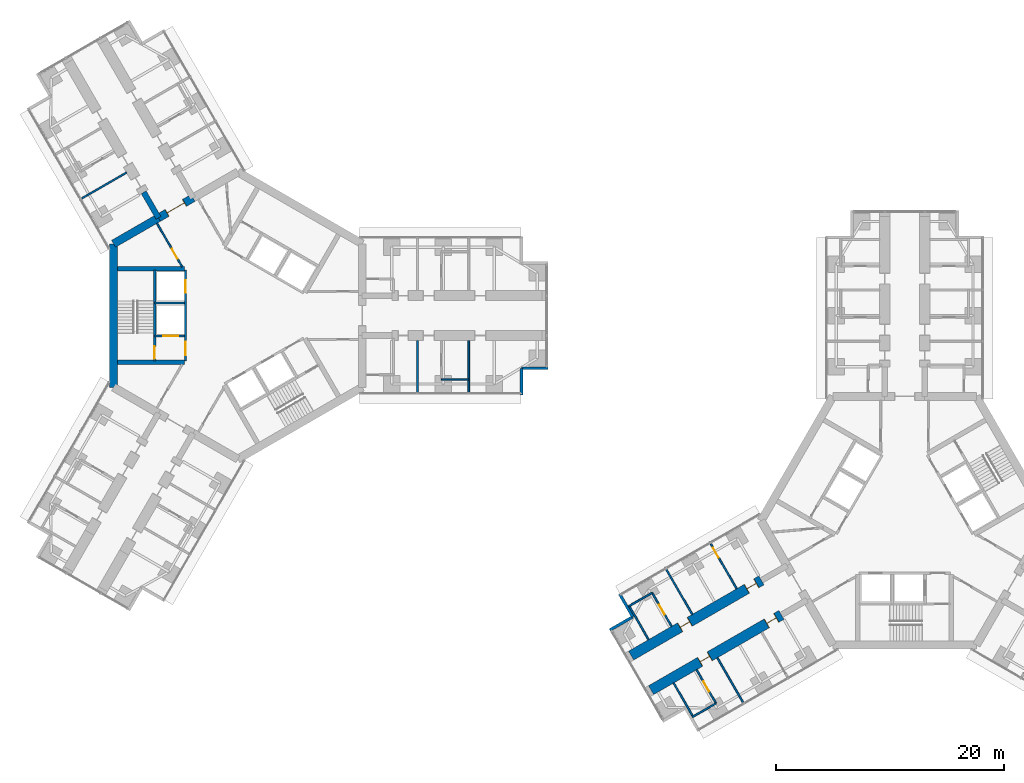
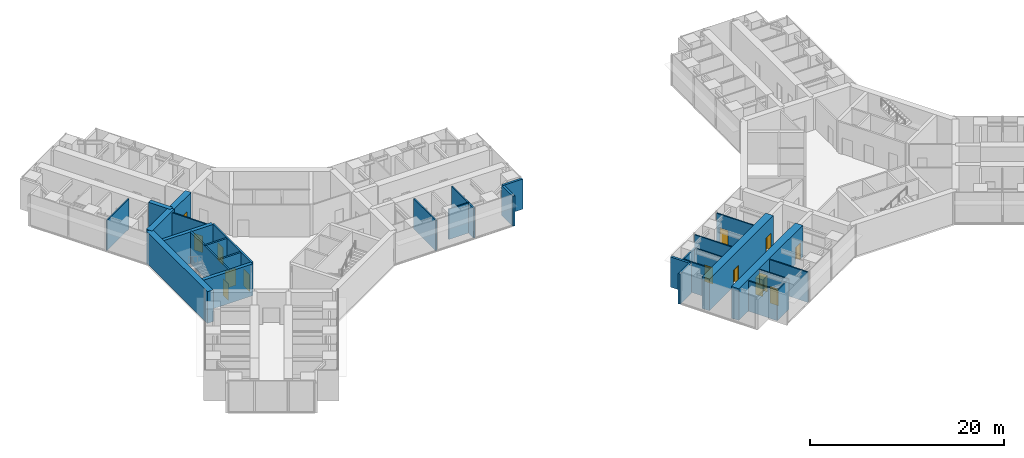
# One storey, part 17 of 24: 30 walls, 13 doors, 13 openings.
"""IFC4 building model written with IfcOpenShell, lengths in metres."""

from ifc_helpers import new_model, si_unit, direction, frame, frame_2d, origin, place, context, subcontext, project, spatial, rectangle, extrude, material, layer, layer_set, type_object, element, fill, save


model = new_model("IFC4")

# Units and contexts
model_context = context("Model", 3, precision=1e-05, world=origin(), true_north=direction((0.0, 1.0)))
body_context = subcontext(model_context, "Body", "Model", "MODEL_VIEW")
ifc_project = project(units=[si_unit("LENGTHUNIT", "METRE"), si_unit("AREAUNIT", "SQUARE_METRE"), si_unit("VOLUMEUNIT", "CUBIC_METRE"), si_unit("PLANEANGLEUNIT", "RADIAN"), si_unit("MASSUNIT", "GRAM", prefix="KILO")], contexts=[model_context])

# Site, building, storey
site_placement = place(None, origin())
site = spatial("IfcSite", under=ifc_project, at=site_placement, CompositionType="ELEMENT")
building_placement = place(site_placement, origin())
building = spatial("IfcBuilding", under=site, at=building_placement, Name="Upepo Twin Towers", CompositionType="ELEMENT")
storey_placement = place(building_placement, frame((0.0, 0.0, 64.5)))
storey = spatial("IfcBuildingStorey", under=building, at=storey_placement, Name="L15", CompositionType="ELEMENT", Elevation=64.5)

# Wall
ifc_material_1 = material(Name="Concrete C60/75", Category="concrete")
ifc_layer_1 = layer(ifc_material_1, 0.5)
ifc_layer_set_1 = layer_set([ifc_layer_1], Name="Concrete C60/75")
wall_type_1 = type_object("IfcWallType", Name="Buttress wall 500 RC", PredefinedType="SHEAR", material=ifc_layer_set_1)
wall_1_placement = place(storey_placement, frame((-6.9697265625, 8.57177734375, 0.0), z_axis=(0.0, 0.0, 1.0), x_axis=(-0.499988811324, 0.866031863473, 0.0)))
element("IfcWall", 1, at=wall_1_placement, inside=storey, type_object=wall_type_1, Name="T1 wing B buttress wall L", PredefinedType="SHEAR", context=body_context, shape_type="SweptSolid", body=[
    extrude(rectangle(XDim=2.591796875, YDim=0.5, at=frame_2d((1.2958984375, 0.0))), origin(), (0.0, 0.0, 1.0), 4.0),
])

# Wall, openings, doors
ifc_material_2 = material(Name="Concrete C60/75", Category="concrete")
ifc_layer_2 = layer(ifc_material_2, 0.89990234375)
ifc_layer_set_2 = layer_set([ifc_layer_2], Name="Concrete C60/75")
wall_type_2 = type_object("IfcWallType", Name="Buttress wall 900 RC", PredefinedType="SHEAR", material=ifc_layer_set_2)
wall_2_placement = place(storey_placement, frame((47.68359375, -26.265625, 0.0), z_axis=(0.0, 0.0, 1.0), x_axis=(-0.866027579429, -0.499996231654, 0.0)))
wall_2 = element("IfcWall", 2, at=wall_2_placement, inside=storey, type_object=wall_type_2, Name="T2 wing B buttress wall L part 2", PredefinedType="SHEAR", context=body_context, shape_type="SweptSolid", body=[
    extrude(rectangle(XDim=13.19970703125, YDim=0.89990234375, at=frame_2d((6.599853515625, 0.0))), origin(), (0.0, 0.0, 1.0), 4.0),
])
opening_1_placement = place(wall_2_placement, frame((0.5, 0.0, 0.0)))
opening_1 = element("IfcOpeningElement", 3, at=opening_1_placement, cuts=wall_2, Name="Opening D1", PredefinedType="OPENING", context=body_context, shape_type="SweptSolid", body=[
    extrude(rectangle(XDim=1.0, YDim=2.10009765625, at=frame_2d((0.5, 1.050048828125))), frame((0.0, 0.4599609375, 0.0), z_axis=(0.0, -1.0, 0.0), x_axis=(1.0, 0.0, 0.0)), (0.0, 0.0, 1.0), 0.919921875),
])
opening_2_placement = place(wall_2_placement, frame((7.25, 0.0, 0.0)))
opening_2 = element("IfcOpeningElement", 4, at=opening_2_placement, cuts=wall_2, Name="Opening D1", PredefinedType="OPENING", context=body_context, shape_type="SweptSolid", body=[
    extrude(rectangle(XDim=1.0, YDim=2.10009765625, at=frame_2d((0.5, 1.050048828125))), frame((0.0, 0.4599609375, 0.0), z_axis=(0.0, -1.0, 0.0), x_axis=(1.0, 0.0, 0.0)), (0.0, 0.0, 1.0), 0.919921875),
])
ifc_material_3 = material(Name="Timber doorset", Category="wood")
door_type_1 = type_object("IfcDoorType", Name="Room door 1000 FD30", OperationType="SINGLE_SWING_LEFT", PredefinedType="DOOR", material=ifc_material_3)
door_1_placement = place(opening_1_placement, origin())
door_1 = element("IfcDoor", 5, at=door_1_placement, inside=storey, type_object=door_type_1, Name="T2 L15 tutorial room door", OperationType="SINGLE_SWING_LEFT", OverallHeight=2.10009765625, OverallWidth=1.0, PredefinedType="DOOR", context=body_context, shape_type="SweptSolid", body=[
    extrude(rectangle(XDim=0.92, YDim=2.06009765625, at=frame_2d((0.5, 1.030029296875))), frame((0.0, 0.02490234375, 0.0), z_axis=(0.0, -1.0, 0.0), x_axis=(1.0, 0.0, 0.0)), (0.0, 0.0, 1.0), 0.050048828125),
    extrude(rectangle(XDim=0.04, YDim=2.10009765625, at=frame_2d((0.02001953125, 1.050048828125))), frame((0.0, 0.44970703125, 0.0), z_axis=(0.0, -1.0, 0.0), x_axis=(1.0, 0.0, 0.0)), (0.0, 0.0, 1.0), 0.8994140625),
    extrude(rectangle(XDim=0.04, YDim=2.10009765625, at=frame_2d((0.97998046875, 1.050048828125))), frame((0.0, 0.44970703125, 0.0), z_axis=(0.0, -1.0, 0.0), x_axis=(1.0, 0.0, 0.0)), (0.0, 0.0, 1.0), 0.8994140625),
    extrude(rectangle(XDim=0.92, YDim=0.04, at=frame_2d((0.5, 2.080078125))), frame((0.0, 0.44970703125, 0.0), z_axis=(0.0, -1.0, 0.0), x_axis=(1.0, 0.0, 0.0)), (0.0, 0.0, 1.0), 0.8994140625),
])
fill(opening_1, door_1)
door_2_placement = place(opening_2_placement, origin())
door_2 = element("IfcDoor", 6, at=door_2_placement, inside=storey, type_object=door_type_1, Name="T2 L15 seminar room door", OperationType="SINGLE_SWING_RIGHT", OverallHeight=2.10009765625, OverallWidth=1.0, PredefinedType="DOOR", context=body_context, shape_type="SweptSolid", body=[
    extrude(rectangle(XDim=0.92, YDim=2.06009765625, at=frame_2d((0.5, 1.030029296875))), frame((0.0, 0.02490234375, 0.0), z_axis=(0.0, -1.0, 0.0), x_axis=(1.0, 0.0, 0.0)), (0.0, 0.0, 1.0), 0.050048828125),
    extrude(rectangle(XDim=0.04, YDim=2.10009765625, at=frame_2d((0.02001953125, 1.050048828125))), frame((0.0, 0.44970703125, 0.0), z_axis=(0.0, -1.0, 0.0), x_axis=(1.0, 0.0, 0.0)), (0.0, 0.0, 1.0), 0.8994140625),
    extrude(rectangle(XDim=0.04, YDim=2.10009765625, at=frame_2d((0.97998046875, 1.050048828125))), frame((0.0, 0.44970703125, 0.0), z_axis=(0.0, -1.0, 0.0), x_axis=(1.0, 0.0, 0.0)), (0.0, 0.0, 1.0), 0.8994140625),
    extrude(rectangle(XDim=0.92, YDim=0.04, at=frame_2d((0.5, 2.080078125))), frame((0.0, 0.44970703125, 0.0), z_axis=(0.0, -1.0, 0.0), x_axis=(1.0, 0.0, 0.0)), (0.0, 0.0, 1.0), 0.8994140625),
])
fill(opening_2, door_2)

wall_3_placement = place(storey_placement, frame((45.93359375, -23.234375, 0.0), z_axis=(0.0, 0.0, 1.0), x_axis=(-0.866019570528, -0.500010103361, 0.0)))
wall_3 = element("IfcWall", 7, at=wall_3_placement, inside=storey, type_object=wall_type_2, Name="T2 wing B buttress wall R part 2", PredefinedType="SHEAR", context=body_context, shape_type="SweptSolid", body=[
    extrude(rectangle(XDim=13.199951171875, YDim=0.89990234375, at=frame_2d((6.60009765625, 0.0))), origin(), (0.0, 0.0, 1.0), 4.0),
])
opening_3_placement = place(wall_3_placement, frame((0.5, 0.0, 0.0)))
opening_3 = element("IfcOpeningElement", 8, at=opening_3_placement, cuts=wall_3, Name="Opening D1", PredefinedType="OPENING", context=body_context, shape_type="SweptSolid", body=[
    extrude(rectangle(XDim=1.0, YDim=2.10009765625, at=frame_2d((0.5, 1.050048828125))), frame((0.0, 0.4599609375, 0.0), z_axis=(0.0, -1.0, 0.0), x_axis=(1.0, 0.0, 0.0)), (0.0, 0.0, 1.0), 0.919921875),
])
opening_4_placement = place(wall_3_placement, frame((7.25, 0.0, 0.0)))
opening_4 = element("IfcOpeningElement", 9, at=opening_4_placement, cuts=wall_3, Name="Opening D1", PredefinedType="OPENING", context=body_context, shape_type="SweptSolid", body=[
    extrude(rectangle(XDim=1.0, YDim=2.10009765625, at=frame_2d((0.5, 1.050048828125))), frame((0.0, 0.4599609375, 0.0), z_axis=(0.0, -1.0, 0.0), x_axis=(1.0, 0.0, 0.0)), (0.0, 0.0, 1.0), 0.919921875),
])
door_3_placement = place(opening_3_placement, origin())
door_3 = element("IfcDoor", 10, at=door_3_placement, inside=storey, type_object=door_type_1, Name="T2 L15 tutorial room door", OperationType="SINGLE_SWING_LEFT", OverallHeight=2.10009765625, OverallWidth=1.0, PredefinedType="DOOR", context=body_context, shape_type="SweptSolid", body=[
    extrude(rectangle(XDim=0.92, YDim=2.06009765625, at=frame_2d((0.5, 1.030029296875))), frame((0.0, 0.02490234375, 0.0), z_axis=(0.0, -1.0, 0.0), x_axis=(1.0, 0.0, 0.0)), (0.0, 0.0, 1.0), 0.050048828125),
    extrude(rectangle(XDim=0.04, YDim=2.10009765625, at=frame_2d((0.02001953125, 1.050048828125))), frame((0.0, 0.44970703125, 0.0), z_axis=(0.0, -1.0, 0.0), x_axis=(1.0, 0.0, 0.0)), (0.0, 0.0, 1.0), 0.8994140625),
    extrude(rectangle(XDim=0.04, YDim=2.10009765625, at=frame_2d((0.97998046875, 1.050048828125))), frame((0.0, 0.44970703125, 0.0), z_axis=(0.0, -1.0, 0.0), x_axis=(1.0, 0.0, 0.0)), (0.0, 0.0, 1.0), 0.8994140625),
    extrude(rectangle(XDim=0.92, YDim=0.04, at=frame_2d((0.5, 2.080078125))), frame((0.0, 0.44970703125, 0.0), z_axis=(0.0, -1.0, 0.0), x_axis=(1.0, 0.0, 0.0)), (0.0, 0.0, 1.0), 0.8994140625),
])
fill(opening_3, door_3)
door_4_placement = place(opening_4_placement, origin())
door_4 = element("IfcDoor", 11, at=door_4_placement, inside=storey, type_object=door_type_1, Name="T2 L15 staff office door", OperationType="SINGLE_SWING_RIGHT", OverallHeight=2.10009765625, OverallWidth=1.0, PredefinedType="DOOR", context=body_context, shape_type="SweptSolid", body=[
    extrude(rectangle(XDim=0.92, YDim=2.06009765625, at=frame_2d((0.5, 1.030029296875))), frame((0.0, 0.02490234375, 0.0), z_axis=(0.0, -1.0, 0.0), x_axis=(1.0, 0.0, 0.0)), (0.0, 0.0, 1.0), 0.050048828125),
    extrude(rectangle(XDim=0.04, YDim=2.10009765625, at=frame_2d((0.02001953125, 1.050048828125))), frame((0.0, 0.44970703125, 0.0), z_axis=(0.0, -1.0, 0.0), x_axis=(1.0, 0.0, 0.0)), (0.0, 0.0, 1.0), 0.8994140625),
    extrude(rectangle(XDim=0.04, YDim=2.10009765625, at=frame_2d((0.97998046875, 1.050048828125))), frame((0.0, 0.44970703125, 0.0), z_axis=(0.0, -1.0, 0.0), x_axis=(1.0, 0.0, 0.0)), (0.0, 0.0, 1.0), 0.8994140625),
    extrude(rectangle(XDim=0.92, YDim=0.04, at=frame_2d((0.5, 2.080078125))), frame((0.0, 0.44970703125, 0.0), z_axis=(0.0, -1.0, 0.0), x_axis=(1.0, 0.0, 0.0)), (0.0, 0.0, 1.0), 0.8994140625),
])
fill(opening_4, door_4)

# Wall, opening, door
ifc_material_4 = material(Name="Concrete C60/75", Category="concrete")
ifc_layer_3 = layer(ifc_material_4, 0.699951171875)
ifc_layer_set_3 = layer_set([ifc_layer_3], Name="Concrete C60/75")
wall_type_3 = type_object("IfcWallType", Name="Core wall 700 RC", PredefinedType="SHEAR", material=ifc_layer_set_3)
wall_4_placement = place(storey_placement, frame((-3.938720703125, 10.32177734375, 0.0), z_axis=(0.0, 0.0, 1.0), x_axis=(-0.866019471182, -0.500010275428, 0.0)))
wall_4 = element("IfcWall", 12, at=wall_4_placement, inside=storey, type_object=wall_type_3, Name="T1 core wall 120", PredefinedType="SHEAR", context=body_context, shape_type="SweptSolid", body=[
    extrude(rectangle(XDim=3.5, YDim=0.699951171875, at=frame_2d((1.75, 0.0))), origin(), (0.0, 0.0, 1.0), 4.0),
])
opening_5_placement = place(wall_4_placement, frame((0.85009765625, 0.0, 0.0)))
opening_5 = element("IfcOpeningElement", 13, at=opening_5_placement, cuts=wall_4, Name="Opening D2", PredefinedType="OPENING", context=body_context, shape_type="SweptSolid", body=[
    extrude(rectangle(XDim=1.800048828125, YDim=2.10009765625, at=frame_2d((0.89990234375, 1.050048828125))), frame((0.0, 0.35986328125, 0.0), z_axis=(0.0, -1.0, 0.0), x_axis=(1.0, 0.0, 0.0)), (0.0, 0.0, 1.0), 0.719970703125),
])
ifc_material_5 = material(Name="Timber doorset", Category="wood")
door_type_2 = type_object("IfcDoorType", Name="Corridor double door 1800 FD60", OperationType="DOUBLE_DOOR_DOUBLE_SWING", PredefinedType="DOOR", material=ifc_material_5)
door_5_placement = place(opening_5_placement, origin())
door_5 = element("IfcDoor", 14, at=door_5_placement, inside=storey, type_object=door_type_2, Name="T1 L15 wing B corridor door", OperationType="DOUBLE_DOOR_DOUBLE_SWING", OverallHeight=2.10009765625, OverallWidth=1.800048828125, PredefinedType="DOOR", context=body_context, shape_type="SweptSolid", body=[
    extrude(rectangle(XDim=1.720048828125, YDim=2.06009765625, at=frame_2d((0.89990234375, 1.030029296875))), frame((0.0, 0.02490234375, 0.0), z_axis=(0.0, -1.0, 0.0), x_axis=(1.0, 0.0, 0.0)), (0.0, 0.0, 1.0), 0.050048828125),
    extrude(rectangle(XDim=0.04, YDim=2.10009765625, at=frame_2d((0.02001953125, 1.050048828125))), frame((0.0, 0.349609375, 0.0), z_axis=(0.0, -1.0, 0.0), x_axis=(1.0, 0.0, 0.0)), (0.0, 0.0, 1.0), 0.699462890625),
    extrude(rectangle(XDim=0.04, YDim=2.10009765625, at=frame_2d((1.780029296875, 1.050048828125))), frame((0.0, 0.349609375, 0.0), z_axis=(0.0, -1.0, 0.0), x_axis=(1.0, 0.0, 0.0)), (0.0, 0.0, 1.0), 0.699462890625),
    extrude(rectangle(XDim=1.720048828125, YDim=0.04, at=frame_2d((0.89990234375, 2.080078125))), frame((0.0, 0.349609375, 0.0), z_axis=(0.0, -1.0, 0.0), x_axis=(1.0, 0.0, 0.0)), (0.0, 0.0, 1.0), 0.699462890625),
])
fill(opening_5, door_5)

# Walls
wall_5_placement = place(storey_placement, frame((-6.9697265625, 8.57177734375, 0.0), z_axis=(0.0, 0.0, 1.0), x_axis=(-0.866034513004, -0.499984222037, 0.0)))
element("IfcWall", 15, at=wall_5_placement, inside=storey, type_object=wall_type_3, Name="T1 core wall 120 L", PredefinedType="SHEAR", context=body_context, shape_type="SweptSolid", body=[
    extrude(rectangle(XDim=4.548095703125, YDim=0.699951171875, at=frame_2d((2.27392578125, 0.0))), origin(), (0.0, 0.0, 1.0), 4.0),
])
wall_6_placement = place(storey_placement, frame((-10.908447265625, 6.2978515625, 0.0), z_axis=(0.0, 0.0, 1.0), x_axis=(0.0, -1.0, 0.0)))
element("IfcWall", 16, at=wall_6_placement, inside=storey, type_object=wall_type_3, Name="T1 core wall 180", PredefinedType="SHEAR", context=body_context, shape_type="SweptSolid", body=[
    extrude(rectangle(XDim=12.595703125, YDim=0.699951171875, at=frame_2d((6.2978515625, 0.0))), origin(), (0.0, 0.0, 1.0), 4.0),
])
ifc_material_6 = material(Name="Blockwork with anodised aluminium cladding", Category="masonry")
ifc_layer_4 = layer(ifc_material_6, 0.25)
ifc_layer_set_4 = layer_set([ifc_layer_4], Name="Notch cladding wall 250, pale metal")
wall_type_4 = type_object("IfcWallType", Name="Notch cladding wall 250, pale metal", PredefinedType="STANDARD", material=ifc_layer_set_4)
for number, where, z_axis, x_axis, name in (
    (17, (24.875, -6.949951171875, 0.0), (0.0, 0.0, 1.0), (0.0, 1.0, 0.0), "T1 L15 wing A notch wall R1"),
    (18, (24.875, -4.625, 0.0), (0.0, 0.0, 1.0), (1.0, 0.0, 0.0), "T1 L15 wing A notch wall R2"),
    (19, (33.482666015625, -24.418701171875, 0.0), (0.0, 0.0, 1.0), (0.499967891604, -0.866043940782, 0.0), "T2 L15 wing B notch wall R1"),
    (20, (34.64501953125, -26.43212890625, 0.0), (0.0, 0.0, 1.0), (-0.865998469481, -0.500046648681, 0.0), "T2 L15 wing B notch wall R2"),
):
    element("IfcWall", number, at=place(storey_placement, frame(where, z_axis=z_axis, x_axis=x_axis)), inside=storey, type_object=wall_type_4, Name=name, PredefinedType="STANDARD", context=body_context, shape_type="SweptSolid", body=[
        extrude(rectangle(XDim=2.324951171875, YDim=0.25, at=frame_2d((1.16259765625, 0.0))), origin(), (0.0, 0.0, 1.0), 3.800048828125),
    ])

# Wall, openings, doors
ifc_material_7 = material(Name="Concrete C40/50", Category="concrete")
ifc_layer_5 = layer(ifc_material_7, 0.199951171875)
ifc_layer_set_5 = layer_set([ifc_layer_5], Name="Concrete C40/50")
wall_type_5 = type_object("IfcWallType", Name="Shaft wall 200 RC", PredefinedType="SHEAR", material=ifc_layer_set_5)
wall_7_placement = place(storey_placement, frame((-4.60009765625, 4.0, 0.0), z_axis=(0.0, 0.0, 1.0), x_axis=(0.0, -1.0, 0.0)))
wall_7 = element("IfcWall", 21, at=wall_7_placement, inside=storey, type_object=wall_type_5, Name="T1 core W180 front wall", PredefinedType="SHEAR", context=body_context, shape_type="SweptSolid", body=[
    extrude(rectangle(XDim=8.0, YDim=0.199951171875, at=frame_2d((4.0, 0.0))), origin(), (0.0, 0.0, 1.0), 4.0),
])
opening_6_placement = place(wall_7_placement, frame((6.300048828125, 0.0, 0.0)))
opening_6 = element("IfcOpeningElement", 22, at=opening_6_placement, cuts=wall_7, Name="Opening D4", PredefinedType="OPENING", context=body_context, shape_type="SweptSolid", body=[
    extrude(rectangle(XDim=1.199951171875, YDim=2.10009765625, at=frame_2d((0.60009765625, 1.050048828125))), frame((0.0, 0.10986328125, 0.0), z_axis=(0.0, -1.0, 0.0), x_axis=(1.0, 0.0, 0.0)), (0.0, 0.0, 1.0), 0.219970703125),
])
opening_7_placement = place(wall_7_placement, frame((0.89990234375, 0.0, 0.0)))
opening_7 = element("IfcOpeningElement", 23, at=opening_7_placement, cuts=wall_7, Name="Opening LD1", PredefinedType="OPENING", context=body_context, shape_type="SweptSolid", body=[
    extrude(rectangle(XDim=1.10009765625, YDim=2.199951171875, at=frame_2d((0.550048828125, 1.10009765625))), frame((0.0, 0.10986328125, 0.0), z_axis=(0.0, -1.0, 0.0), x_axis=(1.0, 0.0, 0.0)), (0.0, 0.0, 1.0), 0.219970703125),
])
ifc_material_8 = material(Name="Steel doorset", Category="steel")
door_type_3 = type_object("IfcDoorType", Name="Lift landing door 1100", OperationType="DOUBLE_DOOR_SLIDING", PredefinedType="DOOR", material=ifc_material_8)
door_6_placement = place(opening_7_placement, origin())
door_6 = element("IfcDoor", 24, at=door_6_placement, inside=storey, type_object=door_type_3, Name="T1 L15 lift SV1 landing door", OperationType="DOUBLE_DOOR_SLIDING", OverallHeight=2.199951171875, OverallWidth=1.10009765625, PredefinedType="DOOR", context=body_context, shape_type="SweptSolid", body=[
    extrude(rectangle(XDim=1.10009765625, YDim=2.199951171875, at=frame_2d((0.550048828125, 1.10009765625))), frame((0.0, 0.02490234375, 0.0), z_axis=(0.0, -1.0, 0.0), x_axis=(1.0, 0.0, 0.0)), (0.0, 0.0, 1.0), 0.050048828125),
])
fill(opening_7, door_6)
ifc_material_9 = material(Name="Timber doorset", Category="wood")
door_type_4 = type_object("IfcDoorType", Name="Lobby door 1200 FD60", OperationType="SINGLE_SWING_LEFT", PredefinedType="DOOR", material=ifc_material_9)
door_7_placement = place(opening_6_placement, origin())
door_7 = element("IfcDoor", 25, at=door_7_placement, inside=storey, type_object=door_type_4, Name="T1 L15 W180 lobby door", OperationType="SINGLE_SWING_RIGHT", OverallHeight=2.10009765625, OverallWidth=1.199951171875, PredefinedType="DOOR", context=body_context, shape_type="SweptSolid", body=[
    extrude(rectangle(XDim=1.199951171875, YDim=2.10009765625, at=frame_2d((0.60009765625, 1.050048828125))), frame((0.0, 0.02490234375, 0.0), z_axis=(0.0, -1.0, 0.0), x_axis=(1.0, 0.0, 0.0)), (0.0, 0.0, 1.0), 0.050048828125),
])
fill(opening_6, door_7)

# Wall
wall_8_placement = place(storey_placement, frame((-4.699951171875, 1.10009765625, 0.0), z_axis=(0.0, 0.0, 1.0), x_axis=(-1.0, 0.0, 0.0)))
element("IfcWall", 26, at=wall_8_placement, inside=storey, type_object=wall_type_5, Name="T1 core W180 shaft divider", PredefinedType="SHEAR", context=body_context, shape_type="SweptSolid", body=[
    extrude(rectangle(XDim=2.60009765625, YDim=0.199951171875, at=frame_2d((1.300048828125, 0.0))), origin(), (0.0, 0.0, 1.0), 4.0),
])

# Wall, opening, door
wall_9_placement = place(storey_placement, frame((-4.699951171875, -1.800048828125, 0.0), z_axis=(0.0, 0.0, 1.0), x_axis=(-1.0, 0.0, 0.0)))
wall_9 = element("IfcWall", 27, at=wall_9_placement, inside=storey, type_object=wall_type_5, Name="T1 core W180 lobby wall", PredefinedType="SHEAR", context=body_context, shape_type="SweptSolid", body=[
    extrude(rectangle(XDim=2.60009765625, YDim=0.199951171875, at=frame_2d((1.300048828125, 0.0))), origin(), (0.0, 0.0, 1.0), 4.0),
])
opening_8_placement = place(wall_9_placement, frame((0.550048828125, 0.0, 0.0)))
opening_8 = element("IfcOpeningElement", 28, at=opening_8_placement, cuts=wall_9, Name="Opening LD2", PredefinedType="OPENING", context=body_context, shape_type="SweptSolid", body=[
    extrude(rectangle(XDim=1.300048828125, YDim=2.199951171875, at=frame_2d((0.64990234375, 1.10009765625))), frame((0.0, 0.10986328125, 0.0), z_axis=(0.0, -1.0, 0.0), x_axis=(1.0, 0.0, 0.0)), (0.0, 0.0, 1.0), 0.219970703125),
])
ifc_material_10 = material(Name="Steel doorset", Category="steel")
door_type_5 = type_object("IfcDoorType", Name="Firefighting lift landing door 1300", OperationType="DOUBLE_DOOR_SLIDING", PredefinedType="DOOR", material=ifc_material_10)
door_8_placement = place(opening_8_placement, origin())
door_8 = element("IfcDoor", 29, at=door_8_placement, inside=storey, type_object=door_type_5, Name="T1 L15 firefighting lift landing door", OperationType="DOUBLE_DOOR_SLIDING", OverallHeight=2.199951171875, OverallWidth=1.300048828125, PredefinedType="DOOR", context=body_context, shape_type="SweptSolid", body=[
    extrude(rectangle(XDim=1.300048828125, YDim=2.199951171875, at=frame_2d((0.64990234375, 1.10009765625))), frame((0.0, 0.02490234375, 0.0), z_axis=(0.0, -1.0, 0.0), x_axis=(1.0, 0.0, 0.0)), (0.0, 0.0, 1.0), 0.050048828125),
])
fill(opening_8, door_8)

wall_10_placement = place(storey_placement, frame((-7.300048828125, 4.0, 0.0), z_axis=(0.0, 0.0, 1.0), x_axis=(0.0, -1.0, 0.0)))
wall_10 = element("IfcWall", 30, at=wall_10_placement, inside=storey, type_object=wall_type_5, Name="T1 core W180 stair wall", PredefinedType="SHEAR", context=body_context, shape_type="SweptSolid", body=[
    extrude(rectangle(XDim=8.0, YDim=0.199951171875, at=frame_2d((4.0, 0.0))), origin(), (0.0, 0.0, 1.0), 4.0),
])
opening_9_placement = place(wall_10_placement, frame((6.699951171875, 0.0, 0.0)))
opening_9 = element("IfcOpeningElement", 31, at=opening_9_placement, cuts=wall_10, Name="Opening D3", PredefinedType="OPENING", context=body_context, shape_type="SweptSolid", body=[
    extrude(rectangle(XDim=1.10009765625, YDim=2.10009765625, at=frame_2d((0.550048828125, 1.050048828125))), frame((0.0, 0.10986328125, 0.0), z_axis=(0.0, -1.0, 0.0), x_axis=(1.0, 0.0, 0.0)), (0.0, 0.0, 1.0), 0.219970703125),
])
ifc_material_11 = material(Name="Timber doorset", Category="wood")
door_type_6 = type_object("IfcDoorType", Name="Stair door 1100 FD60", OperationType="SINGLE_SWING_LEFT", PredefinedType="DOOR", material=ifc_material_11)
door_9_placement = place(opening_9_placement, origin())
door_9 = element("IfcDoor", 32, at=door_9_placement, inside=storey, type_object=door_type_6, Name="T1 L15 stair door", OperationType="SINGLE_SWING_RIGHT", OverallHeight=2.10009765625, OverallWidth=1.10009765625, PredefinedType="DOOR", context=body_context, shape_type="SweptSolid", body=[
    extrude(rectangle(XDim=1.10009765625, YDim=2.10009765625, at=frame_2d((0.550048828125, 1.050048828125))), frame((0.0, 0.02490234375, 0.0), z_axis=(0.0, -1.0, 0.0), x_axis=(1.0, 0.0, 0.0)), (0.0, 0.0, 1.0), 0.050048828125),
])
fill(opening_9, door_9)

# Walls
ifc_material_12 = material(Name="Concrete C40/50", Category="concrete")
ifc_layer_6 = layer(ifc_material_12, 0.39990234375)
ifc_layer_set_6 = layer_set([ifc_layer_6], Name="Concrete C40/50")
wall_type_6 = type_object("IfcWallType", Name="Shaft wall 400 RC", PredefinedType="SHEAR", material=ifc_layer_set_6)
for number, where, z_axis, x_axis, name in (
    (33, (-4.699951171875, -4.10009765625, 0.0), (0.0, 0.0, 1.0), (-1.0, 0.0, 0.0), "T1 core W180 side wall N"),
    (34, (-4.699951171875, 4.10009765625, 0.0), (0.0, 0.0, 1.0), (-1.0, 0.0, 0.0), "T1 core W180 side wall S"),
):
    element("IfcWall", number, at=place(storey_placement, frame(where, z_axis=z_axis, x_axis=x_axis)), inside=storey, type_object=wall_type_6, Name=name, PredefinedType="SHEAR", context=body_context, shape_type="SweptSolid", body=[
        extrude(rectangle(XDim=5.8583984375, YDim=0.39990234375, at=frame_2d((2.92919921875, 0.0))), origin(), (0.0, 0.0, 1.0), 4.0),
    ])
ifc_material_13 = material(Name="Gypsum board on steel studs", Category="steel")
ifc_layer_7 = layer(ifc_material_13, 0.14990234375)
ifc_layer_set_7 = layer_set([ifc_layer_7], Name="Teaching partition 150 acoustic")
wall_type_7 = type_object("IfcWallType", Name="Teaching partition 150 acoustic", PredefinedType="PARTITIONING", material=ifc_layer_set_7)
for number, where, z_axis, x_axis, name in (
    (35, (15.75, -2.199951171875, 0.0), (0.0, 0.0, 1.0), (0.0, -1.0, 0.0), "T1 partition AR at 15.75"),
    (36, (20.25, -2.199951171875, 0.0), (0.0, 0.0, 1.0), (0.0, -1.0, 0.0), "T1 partition AR at 20.25"),
):
    element("IfcWall", number, at=place(storey_placement, frame(where, z_axis=z_axis, x_axis=x_axis)), inside=storey, type_object=wall_type_7, Name=name, PredefinedType="PARTITIONING", context=body_context, shape_type="SweptSolid", body=[
        extrude(rectangle(XDim=4.550048828125, YDim=0.14990234375, at=frame_2d((2.27490234375, 0.0))), origin(), (0.0, 0.0, 1.0), 3.800048828125),
    ])
wall_11_placement = place(storey_placement, frame((17.85009765625, -5.60009765625, 0.0), z_axis=(0.0, 0.0, 1.0), x_axis=(1.0, 0.0, 0.0)))
element("IfcWall", 37, at=wall_11_placement, inside=storey, type_object=wall_type_7, Name="T1 inner room partition AR at 17.85", PredefinedType="PARTITIONING", context=body_context, shape_type="SweptSolid", body=[
    extrude(rectangle(XDim=2.39990234375, YDim=0.14990234375, at=frame_2d((1.199951171875, 0.0))), origin(), (0.0, 0.0, 1.0), 3.800048828125),
])
wall_12_placement = place(storey_placement, frame((-9.7802734375, 12.539794921875, 0.0), z_axis=(0.0, 0.0, 1.0), x_axis=(-0.866035472144, -0.499982560684, 0.0)))
element("IfcWall", 38, at=wall_12_placement, inside=storey, type_object=wall_type_7, Name="T1 partition BL at 15.75", PredefinedType="PARTITIONING", context=body_context, shape_type="SweptSolid", body=[
    extrude(rectangle(XDim=4.550048828125, YDim=0.14990234375, at=frame_2d((2.27490234375, 0.0))), origin(), (0.0, 0.0, 1.0), 3.800048828125),
])

# Wall, opening, door
wall_13_placement = place(storey_placement, frame((-4.889892578125, 4.269775390625, 0.0), z_axis=(0.0, 0.0, 1.0), x_axis=(-0.500007369519, 0.866021148949, 0.0)))
wall_13 = element("IfcWall", 39, at=wall_13_placement, inside=storey, type_object=wall_type_7, Name="T1 core room partition 3", PredefinedType="PARTITIONING", context=body_context, shape_type="SweptSolid", body=[
    extrude(rectangle(XDim=4.42578125, YDim=0.14990234375, at=frame_2d((2.212890625, 0.0))), origin(), (0.0, 0.0, 1.0), 3.800048828125),
])
opening_10_placement = place(wall_13_placement, frame((0.82763671875, 0.0, 0.0)))
opening_10 = element("IfcOpeningElement", 40, at=opening_10_placement, cuts=wall_13, Name="Opening D1", PredefinedType="OPENING", context=body_context, shape_type="SweptSolid", body=[
    extrude(rectangle(XDim=1.0, YDim=2.10009765625, at=frame_2d((0.5, 1.050048828125))), frame((0.0, 0.0849609375, 0.0), z_axis=(0.0, -1.0, 0.0), x_axis=(1.0, 0.0, 0.0)), (0.0, 0.0, 1.0), 0.169921875),
])
door_10_placement = place(opening_10_placement, origin())
door_10 = element("IfcDoor", 41, at=door_10_placement, inside=storey, type_object=door_type_1, Name="T1 L15 core room door K7", OperationType="SINGLE_SWING_LEFT", OverallHeight=2.10009765625, OverallWidth=1.0, PredefinedType="DOOR", context=body_context, shape_type="SweptSolid", body=[
    extrude(rectangle(XDim=1.0, YDim=2.10009765625, at=frame_2d((0.5, 1.050048828125))), frame((0.0, 0.02490234375, 0.0), z_axis=(0.0, -1.0, 0.0), x_axis=(1.0, 0.0, 0.0)), (0.0, 0.0, 1.0), 0.050048828125),
])
fill(opening_10, door_10)

# Walls
wall_14_placement = place(storey_placement, frame((42.06298828125, -30.0302734375, 0.0), z_axis=(0.0, 0.0, 1.0), x_axis=(0.499982560684, -0.866035472144, 0.0)))
element("IfcWall", 42, at=wall_14_placement, inside=storey, type_object=wall_type_7, Name="T2 partition BL at 20.25", PredefinedType="PARTITIONING", context=body_context, shape_type="SweptSolid", body=[
    extrude(rectangle(XDim=4.550048828125, YDim=0.14990234375, at=frame_2d((2.27490234375, 0.0))), origin(), (0.0, 0.0, 1.0), 3.800048828125),
])
wall_15_placement = place(storey_placement, frame((41.9443359375, -34.024658203125, 0.0), z_axis=(0.0, 0.0, 1.0), x_axis=(-0.865980596518, -0.500077600433, 0.0)))
element("IfcWall", 43, at=wall_15_placement, inside=storey, type_object=wall_type_7, Name="T2 inner room partition BL at 22.35", PredefinedType="PARTITIONING", context=body_context, shape_type="SweptSolid", body=[
    extrude(rectangle(XDim=2.39990234375, YDim=0.14990234375, at=frame_2d((1.199951171875, 0.0))), origin(), (0.0, 0.0, 1.0), 3.800048828125),
])

# Wall, opening, door
wall_16_placement = place(storey_placement, frame((40.244384765625, -31.080322265625, 0.0), z_axis=(0.0, 0.0, 1.0), x_axis=(0.500008388397, -0.866020560687, 0.0)))
wall_16 = element("IfcWall", 44, at=wall_16_placement, inside=storey, type_object=wall_type_7, Name="T2 inner room partition BL end at 22.35", PredefinedType="PARTITIONING", context=body_context, shape_type="SweptSolid", body=[
    extrude(rectangle(XDim=3.39990234375, YDim=0.14990234375, at=frame_2d((1.699951171875, 0.0))), origin(), (0.0, 0.0, 1.0), 3.800048828125),
])
opening_11_placement = place(wall_16_placement, frame((1.199951171875, 0.0, 0.0)))
opening_11 = element("IfcOpeningElement", 45, at=opening_11_placement, cuts=wall_16, Name="Opening D1", PredefinedType="OPENING", context=body_context, shape_type="SweptSolid", body=[
    extrude(rectangle(XDim=1.0, YDim=2.10009765625, at=frame_2d((0.5, 1.050048828125))), frame((0.0, 0.0849609375, 0.0), z_axis=(0.0, -1.0, 0.0), x_axis=(1.0, 0.0, 0.0)), (0.0, 0.0, 1.0), 0.169921875),
])
door_11_placement = place(opening_11_placement, origin())
door_11 = element("IfcDoor", 46, at=door_11_placement, inside=storey, type_object=door_type_1, Name="T2 L15 inner room door", OperationType="SINGLE_SWING_LEFT", OverallHeight=2.10009765625, OverallWidth=1.0, PredefinedType="DOOR", context=body_context, shape_type="SweptSolid", body=[
    extrude(rectangle(XDim=1.0, YDim=2.10009765625, at=frame_2d((0.5, 1.050048828125))), frame((0.0, 0.02490234375, 0.0), z_axis=(0.0, -1.0, 0.0), x_axis=(1.0, 0.0, 0.0)), (0.0, 0.0, 1.0), 0.050048828125),
])
fill(opening_11, door_11)

# Wall
wall_17_placement = place(storey_placement, frame((38.230712890625, -32.24267578125, 0.0), z_axis=(0.0, 0.0, 1.0), x_axis=(0.500031147688, -0.866007419912, 0.0)))
element("IfcWall", 47, at=wall_17_placement, inside=storey, type_object=wall_type_7, Name="T2 inner room partition BL end at 24.75", PredefinedType="PARTITIONING", context=body_context, shape_type="SweptSolid", body=[
    extrude(rectangle(XDim=3.400146484375, YDim=0.14990234375, at=frame_2d((1.7001953125, 0.0))), origin(), (0.0, 0.0, 1.0), 3.800048828125),
])

# Wall, opening, door
wall_18_placement = place(storey_placement, frame((43.760009765625, -23.9697265625, 0.0), z_axis=(0.0, 0.0, 1.0), x_axis=(-0.499982560684, 0.866035472144, 0.0)))
wall_18 = element("IfcWall", 48, at=wall_18_placement, inside=storey, type_object=wall_type_7, Name="T2 partition BR at 15.75", PredefinedType="PARTITIONING", context=body_context, shape_type="SweptSolid", body=[
    extrude(rectangle(XDim=4.550048828125, YDim=0.14990234375, at=frame_2d((2.27490234375, 0.0))), origin(), (0.0, 0.0, 1.0), 3.800048828125),
])
opening_12_placement = place(wall_18_placement, frame((3.14990234375, 0.0, 0.0)))
opening_12 = element("IfcOpeningElement", 49, at=opening_12_placement, cuts=wall_18, Name="Opening D1", PredefinedType="OPENING", context=body_context, shape_type="SweptSolid", body=[
    extrude(rectangle(XDim=1.0, YDim=2.10009765625, at=frame_2d((0.5, 1.050048828125))), frame((0.0, 0.0849609375, 0.0), z_axis=(0.0, -1.0, 0.0), x_axis=(1.0, 0.0, 0.0)), (0.0, 0.0, 1.0), 0.169921875),
])
door_12_placement = place(opening_12_placement, origin())
door_12 = element("IfcDoor", 50, at=door_12_placement, inside=storey, type_object=door_type_1, Name="T2 L15 connecting door", OperationType="SINGLE_SWING_RIGHT", OverallHeight=2.10009765625, OverallWidth=1.0, PredefinedType="DOOR", context=body_context, shape_type="SweptSolid", body=[
    extrude(rectangle(XDim=1.0, YDim=2.10009765625, at=frame_2d((0.5, 1.050048828125))), frame((0.0, 0.02490234375, 0.0), z_axis=(0.0, -1.0, 0.0), x_axis=(1.0, 0.0, 0.0)), (0.0, 0.0, 1.0), 0.050048828125),
])
fill(opening_12, door_12)

# Walls
wall_19_placement = place(storey_placement, frame((39.863037109375, -26.2197265625, 0.0), z_axis=(0.0, 0.0, 1.0), x_axis=(-0.500022803284, 0.866012237902, 0.0)))
element("IfcWall", 51, at=wall_19_placement, inside=storey, type_object=wall_type_7, Name="T2 partition BR at 20.25", PredefinedType="PARTITIONING", context=body_context, shape_type="SweptSolid", body=[
    extrude(rectangle(XDim=4.550048828125, YDim=0.14990234375, at=frame_2d((2.27490234375, 0.0))), origin(), (0.0, 0.0, 1.0), 3.800048828125),
])
wall_20_placement = place(storey_placement, frame((36.34423828125, -24.3251953125, 0.0), z_axis=(0.0, 0.0, 1.0), x_axis=(-0.866024647952, -0.500001309137, 0.0)))
element("IfcWall", 52, at=wall_20_placement, inside=storey, type_object=wall_type_7, Name="T2 inner room partition BR at 22.35", PredefinedType="PARTITIONING", context=body_context, shape_type="SweptSolid", body=[
    extrude(rectangle(XDim=2.39990234375, YDim=0.14990234375, at=frame_2d((1.199951171875, 0.0))), origin(), (0.0, 0.0, 1.0), 3.800048828125),
])

# Wall, opening, door
wall_21_placement = place(storey_placement, frame((38.04443359375, -27.269775390625, 0.0), z_axis=(0.0, 0.0, 1.0), x_axis=(-0.500031147688, 0.866007419912, 0.0)))
wall_21 = element("IfcWall", 53, at=wall_21_placement, inside=storey, type_object=wall_type_7, Name="T2 inner room partition BR end at 22.35", PredefinedType="PARTITIONING", context=body_context, shape_type="SweptSolid", body=[
    extrude(rectangle(XDim=3.400146484375, YDim=0.14990234375, at=frame_2d((1.7001953125, 0.0))), origin(), (0.0, 0.0, 1.0), 3.800048828125),
])
opening_13_placement = place(wall_21_placement, frame((1.199951171875, 0.0, 0.0)))
opening_13 = element("IfcOpeningElement", 54, at=opening_13_placement, cuts=wall_21, Name="Opening D1", PredefinedType="OPENING", context=body_context, shape_type="SweptSolid", body=[
    extrude(rectangle(XDim=1.0, YDim=2.10009765625, at=frame_2d((0.5, 1.050048828125))), frame((0.0, 0.0849609375, 0.0), z_axis=(0.0, -1.0, 0.0), x_axis=(1.0, 0.0, 0.0)), (0.0, 0.0, 1.0), 0.169921875),
])
door_13_placement = place(opening_13_placement, origin())
door_13 = element("IfcDoor", 55, at=door_13_placement, inside=storey, type_object=door_type_1, Name="T2 L15 inner room door", OperationType="SINGLE_SWING_LEFT", OverallHeight=2.10009765625, OverallWidth=1.0, PredefinedType="DOOR", context=body_context, shape_type="SweptSolid", body=[
    extrude(rectangle(XDim=1.0, YDim=2.10009765625, at=frame_2d((0.5, 1.050048828125))), frame((0.0, 0.02490234375, 0.0), z_axis=(0.0, -1.0, 0.0), x_axis=(1.0, 0.0, 0.0)), (0.0, 0.0, 1.0), 0.050048828125),
])
fill(opening_13, door_13)

# Wall
wall_22_placement = place(storey_placement, frame((36.03076171875, -28.43212890625, 0.0), z_axis=(0.0, 0.0, 1.0), x_axis=(-0.500008388397, 0.866020560687, 0.0)))
element("IfcWall", 56, at=wall_22_placement, inside=storey, type_object=wall_type_7, Name="T2 inner room partition BR end at 24.75", PredefinedType="PARTITIONING", context=body_context, shape_type="SweptSolid", body=[
    extrude(rectangle(XDim=3.39990234375, YDim=0.14990234375, at=frame_2d((1.699951171875, 0.0))), origin(), (0.0, 0.0, 1.0), 3.800048828125),
])

save(model, "model.ifc")
